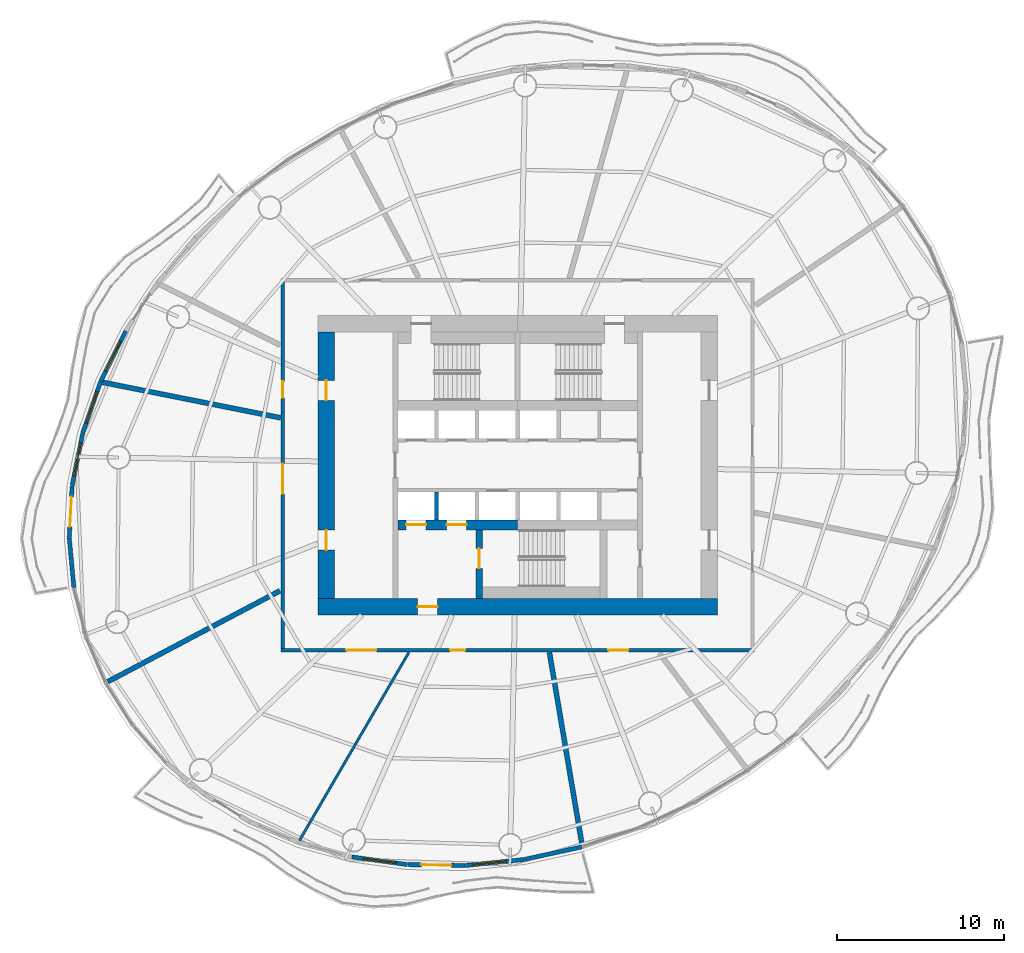
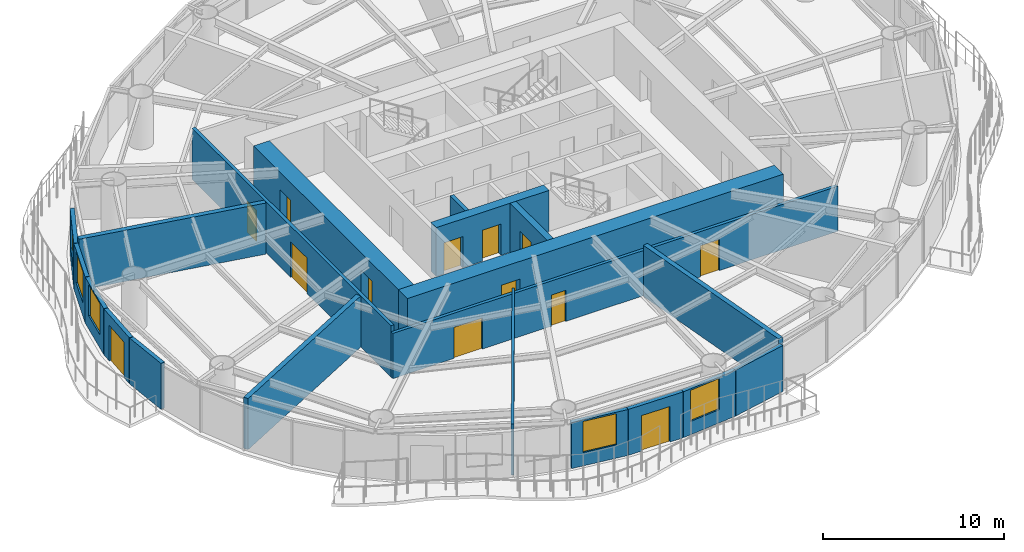
# One storey, part 8 of 16: 20 walls, 13 doors, 5 windows, 18 openings.
"""IFC4 building model written with IfcOpenShell, lengths in metres."""

from ifc_helpers import new_model, si_unit, direction, frame, frame_2d, origin, place, context, subcontext, project, spatial, rectangle, extrude, material, layer, layer_set, type_object, element, fill, save


model = new_model("IFC4")

# Units and contexts
model_context = context("Model", 3, precision=1e-05, world=origin(), true_north=direction((0.0, 1.0)))
body_context = subcontext(model_context, "Body", "Model", "MODEL_VIEW")
ifc_project = project(units=[si_unit("LENGTHUNIT", "METRE"), si_unit("AREAUNIT", "SQUARE_METRE"), si_unit("VOLUMEUNIT", "CUBIC_METRE"), si_unit("PLANEANGLEUNIT", "RADIAN"), si_unit("MASSUNIT", "GRAM", prefix="KILO")], contexts=[model_context])

# Site, building, storey
site_placement = place(None, origin())
site = spatial("IfcSite", under=ifc_project, at=site_placement, CompositionType="ELEMENT")
building_placement = place(site_placement, origin())
building = spatial("IfcBuilding", under=site, at=building_placement, Name="Vermilion Reach Broadcast Tower", CompositionType="ELEMENT")
storey_placement = place(building_placement, frame((0.0, 0.0, 147.0)))
storey = spatial("IfcBuildingStorey", under=building, at=storey_placement, Name="L34", CompositionType="ELEMENT", Elevation=147.0)

# Wall, opening, door
ifc_material_1 = material(Name="Concrete C70", Category="concrete")
ifc_layer_1 = layer(ifc_material_1, 0.39990234375)
ifc_layer_set_1 = layer_set([ifc_layer_1], Name="Core inner wall 400 mm Concrete C70")
wall_type_1 = type_object("IfcWallType", Name="Core inner wall 400 mm Concrete C70", PredefinedType="SHEAR", material=ifc_layer_set_1)
wall_1_placement = place(storey_placement, frame((-8.300048828125, -3.8798828125, 0.0), z_axis=(0.0, 0.0, 1.0), x_axis=(0.0, -1.0, 0.0)))
wall_1 = element("IfcWall", 1, at=wall_1_placement, inside=storey, type_object=wall_type_1, Name="L34 core wall wa", PredefinedType="SHEAR", context=body_context, shape_type="SweptSolid", body=[
    extrude(rectangle(XDim=4.1201171875, YDim=0.39990234375, at=frame_2d((2.06005859375, 0.0))), origin(), (0.0, 0.0, 1.0), 3.300048828125),
])
opening_1_placement = place(wall_1_placement, frame((1.110107421875, 0.0, 0.0)))
opening_1 = element("IfcOpeningElement", 2, at=opening_1_placement, cuts=wall_1, Name="Opening D01", PredefinedType="OPENING", context=body_context, shape_type="SweptSolid", body=[
    extrude(rectangle(XDim=1.199951171875, YDim=2.10009765625, at=frame_2d((0.60009765625, 1.050048828125))), frame((0.0, 0.2099609375, 0.0), z_axis=(0.0, -1.0, 0.0), x_axis=(1.0, 0.0, 0.0)), (0.0, 0.0, 1.0), 0.419921875),
])
ifc_material_2 = material(Name="Painted steel fire door", Category="steel")
door_type_1 = type_object("IfcDoorType", Name="Stair door 1200 x 2100", OperationType="DOUBLE_DOOR_SINGLE_SWING", PredefinedType="NOTDEFINED", material=ifc_material_2)
door_1_placement = place(opening_1_placement, origin())
door_1 = element("IfcDoor", 3, at=door_1_placement, inside=storey, type_object=door_type_1, Name="L34 stair door ST3", OperationType="DOUBLE_DOOR_SINGLE_SWING", OverallHeight=2.10009765625, OverallWidth=1.199951171875, PredefinedType="NOTDEFINED", context=body_context, shape_type="SweptSolid", body=[
    extrude(rectangle(XDim=1.199951171875, YDim=2.10009765625, at=frame_2d((0.60009765625, 1.050048828125))), frame((0.0, 0.02490234375, 0.0), z_axis=(0.0, -1.0, 0.0), x_axis=(1.0, 0.0, 0.0)), (0.0, 0.0, 1.0), 0.050048828125),
])
fill(opening_1, door_1)

# Wall, openings, doors
ifc_material_3 = material(Name="Concrete C70", Category="concrete")
ifc_layer_2 = layer(ifc_material_3, 0.60009765625)
ifc_layer_set_2 = layer_set([ifc_layer_2], Name="Core inner wall 600 mm Concrete C70")
wall_type_2 = type_object("IfcWallType", Name="Core inner wall 600 mm Concrete C70", PredefinedType="SHEAR", material=ifc_layer_set_2)
wall_2_placement = place(storey_placement, frame((-13.199951171875, -3.580078125, 0.0), z_axis=(0.0, 0.0, 1.0), x_axis=(1.0, 0.0, 0.0)))
wall_2 = element("IfcWall", 4, at=wall_2_placement, inside=storey, type_object=wall_type_2, Name="L34 core wall wisW", PredefinedType="SHEAR", context=body_context, shape_type="SweptSolid", body=[
    extrude(rectangle(XDim=7.199951171875, YDim=0.60009765625, at=frame_2d((3.60009765625, 0.0))), origin(), (0.0, 0.0, 1.0), 3.300048828125),
])
opening_2_placement = place(wall_2_placement, frame((0.495849609375, 0.0, 0.0)))
opening_2 = element("IfcOpeningElement", 5, at=opening_2_placement, cuts=wall_2, Name="Opening LD1", PredefinedType="OPENING", context=body_context, shape_type="SweptSolid", body=[
    extrude(rectangle(XDim=1.199951171875, YDim=2.10009765625, at=frame_2d((0.60009765625, 1.050048828125))), frame((0.0, 0.31005859375, 0.0), z_axis=(0.0, -1.0, 0.0), x_axis=(1.0, 0.0, 0.0)), (0.0, 0.0, 1.0), 0.6201171875),
])
opening_3_placement = place(wall_2_placement, frame((2.9375, 0.0, 0.0)))
opening_3 = element("IfcOpeningElement", 6, at=opening_3_placement, cuts=wall_2, Name="Opening LD1", PredefinedType="OPENING", context=body_context, shape_type="SweptSolid", body=[
    extrude(rectangle(XDim=1.199951171875, YDim=2.10009765625, at=frame_2d((0.60009765625, 1.050048828125))), frame((0.0, 0.31005859375, 0.0), z_axis=(0.0, -1.0, 0.0), x_axis=(1.0, 0.0, 0.0)), (0.0, 0.0, 1.0), 0.6201171875),
])
ifc_material_4 = material(Name="Stainless steel", Category="steel")
door_type_2 = type_object("IfcDoorType", Name="Landing door 1200 x 2100", OperationType="DOUBLE_DOOR_SLIDING", PredefinedType="NOTDEFINED", material=ifc_material_4)
door_2_placement = place(opening_2_placement, origin())
door_2 = element("IfcDoor", 7, at=door_2_placement, inside=storey, type_object=door_type_2, Name="L34 landing door FF1", OperationType="DOUBLE_DOOR_SLIDING", OverallHeight=2.10009765625, OverallWidth=1.199951171875, PredefinedType="NOTDEFINED", context=body_context, shape_type="SweptSolid", body=[
    extrude(rectangle(XDim=1.199951171875, YDim=2.10009765625, at=frame_2d((0.60009765625, 1.050048828125))), frame((0.0, 0.02490234375, 0.0), z_axis=(0.0, -1.0, 0.0), x_axis=(1.0, 0.0, 0.0)), (0.0, 0.0, 1.0), 0.050048828125),
])
fill(opening_2, door_2)
door_3_placement = place(opening_3_placement, origin())
door_3 = element("IfcDoor", 8, at=door_3_placement, inside=storey, type_object=door_type_2, Name="L34 landing door FF2", OperationType="DOUBLE_DOOR_SLIDING", OverallHeight=2.10009765625, OverallWidth=1.199951171875, PredefinedType="NOTDEFINED", context=body_context, shape_type="SweptSolid", body=[
    extrude(rectangle(XDim=1.199951171875, YDim=2.10009765625, at=frame_2d((0.60009765625, 1.050048828125))), frame((0.0, 0.02490234375, 0.0), z_axis=(0.0, -1.0, 0.0), x_axis=(1.0, 0.0, 0.0)), (0.0, 0.0, 1.0), 0.050048828125),
])
fill(opening_3, door_3)

# Wall, opening, door
ifc_material_5 = material(Name="Concrete C70", Category="concrete")
ifc_layer_3 = layer(ifc_material_5, 1.0)
ifc_layer_set_3 = layer_set([ifc_layer_3], Name="Core outer wall 1000 mm Concrete C70")
wall_type_3 = type_object("IfcWallType", Name="Core outer wall 1000 mm Concrete C70", PredefinedType="SHEAR", material=ifc_layer_set_3)
wall_3_placement = place(storey_placement, frame((-18.0, -8.5, 0.0), z_axis=(0.0, 0.0, 1.0), x_axis=(1.0, 0.0, 0.0)))
wall_3 = element("IfcWall", 9, at=wall_3_placement, inside=storey, type_object=wall_type_3, Name="L34 core wall os", PredefinedType="SHEAR", context=body_context, shape_type="SweptSolid", body=[
    extrude(rectangle(XDim=24.0, YDim=1.0, at=frame_2d((12.0, 0.0))), origin(), (0.0, 0.0, 1.0), 3.300048828125),
])
opening_4_placement = place(wall_3_placement, frame((6.0, 0.0, 0.0)))
opening_4 = element("IfcOpeningElement", 10, at=opening_4_placement, cuts=wall_3, Name="Opening D02", PredefinedType="OPENING", context=body_context, shape_type="SweptSolid", body=[
    extrude(rectangle(XDim=1.199951171875, YDim=2.10009765625, at=frame_2d((0.60009765625, 1.050048828125))), frame((0.0, 0.510009765625, 0.0), z_axis=(0.0, -1.0, 0.0), x_axis=(1.0, 0.0, 0.0)), (0.0, 0.0, 1.0), 1.02001953125),
])
ifc_material_6 = material(Name="Painted steel fire door", Category="steel")
door_type_3 = type_object("IfcDoorType", Name="Firefighting lobby door 1200 x 2100", OperationType="DOUBLE_DOOR_SINGLE_SWING", PredefinedType="NOTDEFINED", material=ifc_material_6)
door_4_placement = place(opening_4_placement, origin())
door_4 = element("IfcDoor", 11, at=door_4_placement, inside=storey, type_object=door_type_3, Name="L34 ffdoor door FFL", OperationType="DOUBLE_DOOR_SINGLE_SWING", OverallHeight=2.10009765625, OverallWidth=1.199951171875, PredefinedType="NOTDEFINED", context=body_context, shape_type="SweptSolid", body=[
    extrude(rectangle(XDim=1.199951171875, YDim=2.10009765625, at=frame_2d((0.60009765625, 1.050048828125))), frame((0.0, 0.02490234375, 0.0), z_axis=(0.0, -1.0, 0.0), x_axis=(1.0, 0.0, 0.0)), (0.0, 0.0, 1.0), 0.050048828125),
])
fill(opening_4, door_4)

# Wall, openings, doors
wall_4_placement = place(storey_placement, frame((-17.5, 8.0, 0.0), z_axis=(0.0, 0.0, 1.0), x_axis=(0.0, -1.0, 0.0)))
wall_4 = element("IfcWall", 12, at=wall_4_placement, inside=storey, type_object=wall_type_3, Name="L34 core wall ow", PredefinedType="SHEAR", context=body_context, shape_type="SweptSolid", body=[
    extrude(rectangle(XDim=16.0, YDim=1.0, at=frame_2d((8.0, 0.0))), origin(), (0.0, 0.0, 1.0), 3.300048828125),
])
opening_5_placement = place(wall_4_placement, frame((11.89990234375, 0.0, 0.0)))
opening_5 = element("IfcOpeningElement", 13, at=opening_5_placement, cuts=wall_4, Name="Opening D03", PredefinedType="OPENING", context=body_context, shape_type="SweptSolid", body=[
    extrude(rectangle(XDim=1.199951171875, YDim=2.10009765625, at=frame_2d((0.60009765625, 1.050048828125))), frame((0.0, 0.510009765625, 0.0), z_axis=(0.0, -1.0, 0.0), x_axis=(1.0, 0.0, 0.0)), (0.0, 0.0, 1.0), 1.02001953125),
])
opening_6_placement = place(wall_4_placement, frame((2.89990234375, 0.0, 0.0)))
opening_6 = element("IfcOpeningElement", 14, at=opening_6_placement, cuts=wall_4, Name="Opening D03", PredefinedType="OPENING", context=body_context, shape_type="SweptSolid", body=[
    extrude(rectangle(XDim=1.199951171875, YDim=2.10009765625, at=frame_2d((0.60009765625, 1.050048828125))), frame((0.0, 0.510009765625, 0.0), z_axis=(0.0, -1.0, 0.0), x_axis=(1.0, 0.0, 0.0)), (0.0, 0.0, 1.0), 1.02001953125),
])
ifc_material_7 = material(Name="Painted steel fire door", Category="steel")
door_type_4 = type_object("IfcDoorType", Name="Core lobby door 1200 x 2100", OperationType="DOUBLE_DOOR_SINGLE_SWING", PredefinedType="NOTDEFINED", material=ifc_material_7)
door_5_placement = place(opening_5_placement, origin())
door_5 = element("IfcDoor", 15, at=door_5_placement, inside=storey, type_object=door_type_4, Name="L34 slot door W0", OperationType="DOUBLE_DOOR_SINGLE_SWING", OverallHeight=2.10009765625, OverallWidth=1.199951171875, PredefinedType="NOTDEFINED", context=body_context, shape_type="SweptSolid", body=[
    extrude(rectangle(XDim=1.199951171875, YDim=2.10009765625, at=frame_2d((0.60009765625, 1.050048828125))), frame((0.0, 0.02490234375, 0.0), z_axis=(0.0, -1.0, 0.0), x_axis=(1.0, 0.0, 0.0)), (0.0, 0.0, 1.0), 0.050048828125),
])
fill(opening_5, door_5)
door_6_placement = place(opening_6_placement, origin())
door_6 = element("IfcDoor", 16, at=door_6_placement, inside=storey, type_object=door_type_4, Name="L34 slot door W1", OperationType="DOUBLE_DOOR_SINGLE_SWING", OverallHeight=2.10009765625, OverallWidth=1.199951171875, PredefinedType="NOTDEFINED", context=body_context, shape_type="SweptSolid", body=[
    extrude(rectangle(XDim=1.199951171875, YDim=2.10009765625, at=frame_2d((0.60009765625, 1.050048828125))), frame((0.0, 0.02490234375, 0.0), z_axis=(0.0, -1.0, 0.0), x_axis=(1.0, 0.0, 0.0)), (0.0, 0.0, 1.0), 0.050048828125),
])
fill(opening_6, door_6)

# Wall
ifc_material_8 = material(Name="Concrete C50", Category="concrete")
ifc_layer_4 = layer(ifc_material_8, 0.25)
ifc_layer_set_4 = layer_set([ifc_layer_4], Name="Core shaft wall 250 mm Concrete C50")
wall_type_4 = type_object("IfcWallType", Name="Core shaft wall 250 mm Concrete C50", PredefinedType="SHEAR", material=ifc_layer_set_4)
wall_5_placement = place(storey_placement, frame((-10.88330078125, -1.60009765625, 0.0), z_axis=(0.0, 0.0, 1.0), x_axis=(0.0, -1.0, 0.0)))
element("IfcWall", 17, at=wall_5_placement, inside=storey, type_object=wall_type_4, Name="L34 core wall psS0", PredefinedType="SHEAR", context=body_context, shape_type="SweptSolid", body=[
    extrude(rectangle(XDim=1.679931640625, YDim=0.25, at=frame_2d((0.83984375, 0.0))), origin(), (0.0, 0.0, 1.0), 3.300048828125),
])

# Wall, openings, doors
ifc_material_9 = material(Name="Fire-rated gypsum board partition")
ifc_layer_5 = layer(ifc_material_9, 0.199951171875)
ifc_layer_set_5 = layer_set([ifc_layer_5], Name="Corridor wall 200 fire-rated")
wall_type_5 = type_object("IfcWallType", Name="Corridor wall 200 fire-rated", PredefinedType="PARTITIONING", material=ifc_layer_set_5)
wall_6_placement = place(storey_placement, frame((-20.10009765625, -11.0, 0.0), z_axis=(0.0, 0.0, 1.0), x_axis=(0.0, 1.0, 0.0)))
wall_6 = element("IfcWall", 18, at=wall_6_placement, inside=storey, type_object=wall_type_5, Name="Corridor wall 34.W", PredefinedType="PARTITIONING", context=body_context, shape_type="SweptSolid", body=[
    extrude(rectangle(XDim=22.0, YDim=0.199951171875, at=frame_2d((11.0, 0.0))), origin(), (0.0, 0.0, 1.0), 3.449951171875),
])
opening_7_placement = place(wall_6_placement, frame((15.040771484375, 0.0, 0.0)))
opening_7 = element("IfcOpeningElement", 19, at=opening_7_placement, cuts=wall_6, Name="Opening D20", PredefinedType="OPENING", context=body_context, shape_type="SweptSolid", body=[
    extrude(rectangle(XDim=1.0, YDim=2.10009765625, at=frame_2d((0.5, 1.050048828125))), frame((0.0, 0.10986328125, 0.0), z_axis=(0.0, -1.0, 0.0), x_axis=(1.0, 0.0, 0.0)), (0.0, 0.0, 1.0), 0.219970703125),
])
opening_8_placement = place(wall_6_placement, frame((9.277099609375, 0.0, 0.0)))
opening_8 = element("IfcOpeningElement", 20, at=opening_8_placement, cuts=wall_6, Name="Opening D27", PredefinedType="OPENING", context=body_context, shape_type="SweptSolid", body=[
    extrude(rectangle(XDim=1.800048828125, YDim=2.39990234375, at=frame_2d((0.89990234375, 1.199951171875))), frame((0.0, 0.10986328125, 0.0), z_axis=(0.0, -1.0, 0.0), x_axis=(1.0, 0.0, 0.0)), (0.0, 0.0, 1.0), 0.219970703125),
])
ifc_material_10 = material(Name="Acoustic timber door leaf", Category="wood")
door_type_5 = type_object("IfcDoorType", Name="Door pair 1800x2400", OperationType="NOTDEFINED", PredefinedType="DOOR", material=ifc_material_10)
door_7_placement = place(opening_8_placement, origin())
door_7 = element("IfcDoor", 21, at=door_7_placement, inside=storey, type_object=door_type_5, Name="Door 34.05", OperationType="DOUBLE_DOOR_SINGLE_SWING", OverallHeight=2.39990234375, OverallWidth=1.800048828125, PredefinedType="DOOR", context=body_context, shape_type="SweptSolid", body=[
    extrude(rectangle(XDim=1.800048828125, YDim=2.39990234375, at=frame_2d((0.89990234375, 1.199951171875))), frame((0.0, 0.02490234375, 0.0), z_axis=(0.0, -1.0, 0.0), x_axis=(1.0, 0.0, 0.0)), (0.0, 0.0, 1.0), 0.050048828125),
])
fill(opening_8, door_7)
ifc_material_11 = material(Name="Timber door leaf", Category="wood")
door_type_6 = type_object("IfcDoorType", Name="Door single 1000x2100", OperationType="NOTDEFINED", PredefinedType="DOOR", material=ifc_material_11)
door_8_placement = place(opening_7_placement, origin())
door_8 = element("IfcDoor", 22, at=door_8_placement, inside=storey, type_object=door_type_6, Name="Door 34.04", OperationType="SINGLE_SWING_LEFT", OverallHeight=2.10009765625, OverallWidth=1.0, PredefinedType="DOOR", context=body_context, shape_type="SweptSolid", body=[
    extrude(rectangle(XDim=1.0, YDim=2.10009765625, at=frame_2d((0.5, 1.050048828125))), frame((0.0, 0.02490234375, 0.0), z_axis=(0.0, -1.0, 0.0), x_axis=(1.0, 0.0, 0.0)), (0.0, 0.0, 1.0), 0.050048828125),
])
fill(opening_7, door_8)

# Walls
ifc_material_12 = material(Name="Lightweight concrete block, plastered", Category="concrete")
ifc_layer_6 = layer(ifc_material_12, 0.14990234375)
ifc_layer_set_6 = layer_set([ifc_layer_6], Name="Partition 150 lightweight block")
wall_type_6 = type_object("IfcWallType", Name="Partition 150 lightweight block", PredefinedType="PARTITIONING", material=ifc_layer_set_6)
wall_7_placement = place(storey_placement, frame((-19.10302734375, -22.5341796875, 0.0), z_axis=(0.0, 0.0, 1.0), x_axis=(0.502674036835, 0.864476033613, 0.0)))
element("IfcWall", 23, at=wall_7_placement, inside=storey, type_object=wall_type_6, Name="Partition 34.07", PredefinedType="PARTITIONING", context=body_context, shape_type="SweptSolid", body=[
    extrude(rectangle(XDim=13.0673828125, YDim=0.14990234375, at=frame_2d((6.53369140625, 0.0))), origin(), (0.0, 0.0, 1.0), 3.449951171875),
])
ifc_material_13 = material(Name="Double-leaf plasterboard on isolated steel stud", Category="steel")
ifc_layer_7 = layer(ifc_material_13, 0.300048828125)
ifc_layer_set_7 = layer_set([ifc_layer_7], Name="Partition 300 acoustic double leaf")
wall_type_7 = type_object("IfcWallType", Name="Partition 300 acoustic double leaf", PredefinedType="PARTITIONING", material=ifc_layer_set_7)
wall_8_placement = place(storey_placement, frame((-30.92529296875, 4.982666015625, 0.0), z_axis=(0.0, 0.0, 1.0), x_axis=(0.980597889581, -0.196030046039, 0.0)))
element("IfcWall", 24, at=wall_8_placement, inside=storey, type_object=wall_type_7, Name="Partition 34.05", PredefinedType="PARTITIONING", context=body_context, shape_type="SweptSolid", body=[
    extrude(rectangle(XDim=10.907470703125, YDim=0.300048828125, at=frame_2d((5.45361328125, 0.0))), origin(), (0.0, 0.0, 1.0), 3.449951171875),
])
wall_9_placement = place(storey_placement, frame((-30.61328125, -12.9990234375, 0.0), z_axis=(0.0, 0.0, 1.0), x_axis=(0.884254045952, 0.46700619077, 0.0)))
element("IfcWall", 25, at=wall_9_placement, inside=storey, type_object=wall_type_7, Name="Partition 34.06", PredefinedType="PARTITIONING", context=body_context, shape_type="SweptSolid", body=[
    extrude(rectangle(XDim=11.697265625, YDim=0.300048828125, at=frame_2d((5.8486328125, 0.0))), origin(), (0.0, 0.0, 1.0), 3.449951171875),
])
wall_10_placement = place(storey_placement, frame((-2.134765625, -22.78564453125, 0.0), z_axis=(0.0, 0.0, 1.0), x_axis=(-0.167234468918, 0.985917152912, 0.0)))
element("IfcWall", 26, at=wall_10_placement, inside=storey, type_object=wall_type_7, Name="Partition 34.08", PredefinedType="PARTITIONING", context=body_context, shape_type="SweptSolid", body=[
    extrude(rectangle(XDim=11.7255859375, YDim=0.300048828125, at=frame_2d((5.86279296875, 0.0))), origin(), (0.0, 0.0, 1.0), 3.449951171875),
])

# Wall, opening, window
ifc_material_14 = material(Name="Terracotta rainscreen cladding", Category="masonry")
ifc_layer_8 = layer(ifc_material_14, 0.25)
ifc_layer_set_8 = layer_set([ifc_layer_8], Name="Terracotta rainscreen wall 250")
wall_type_8 = type_object("IfcWallType", Name="Terracotta rainscreen wall 250", PredefinedType="SOLIDWALL", material=ifc_layer_set_8)
wall_11_placement = place(storey_placement, frame((-29.53759765625, 8.051025390625, 0.0), z_axis=(0.0, 0.0, 1.0), x_axis=(-0.445527727944, -0.895268140633, 0.0)))
wall_11 = element("IfcWall", 27, at=wall_11_placement, inside=storey, type_object=wall_type_8, Name="External wall L34 17", PredefinedType="SOLIDWALL", context=body_context, shape_type="SweptSolid", body=[
    extrude(rectangle(XDim=3.361328125, YDim=0.25, at=frame_2d((1.6806640625, 0.0))), origin(), (0.0, 0.0, 1.0), 3.10009765625),
])
opening_9_placement = place(wall_11_placement, frame((0.6806640625, 0.0, 0.89990234375)))
opening_9 = element("IfcOpeningElement", 28, at=opening_9_placement, cuts=wall_11, Name="Opening W03", PredefinedType="OPENING", context=body_context, shape_type="SweptSolid", body=[
    extrude(rectangle(XDim=2.0, YDim=2.10009765625, at=frame_2d((1.0, 1.050048828125))), frame((0.0, 0.135009765625, 0.0), z_axis=(0.0, -1.0, 0.0), x_axis=(1.0, 0.0, 0.0)), (0.0, 0.0, 1.0), 0.27001953125),
])
ifc_material_15 = material(Name="Low-e laminated clear glass in aluminium frame", Category="aluminium")
window_type = type_object("IfcWindowType", Name="Punched window 2000 x 2100 sill 900", PartitioningType="SINGLE_PANEL", PredefinedType="WINDOW", material=ifc_material_15)
window_1_placement = place(opening_9_placement, origin())
window_1 = element("IfcWindow", 29, at=window_1_placement, inside=storey, type_object=window_type, Name="Window L34 17", OverallHeight=2.10009765625, OverallWidth=2.0, PartitioningType="SINGLE_PANEL", PredefinedType="WINDOW", context=body_context, shape_type="SweptSolid", body=[
    extrude(rectangle(XDim=2.0, YDim=2.10009765625, at=frame_2d((1.0, 1.050048828125))), frame((0.0, 0.030029296875, 0.0), z_axis=(0.0, -1.0, 0.0), x_axis=(1.0, 0.0, 0.0)), (0.0, 0.0, 1.0), 0.06005859375),
])
fill(opening_9, window_1)

wall_12_placement = place(storey_placement, frame((-31.04443359375, 5.019775390625, 0.0), z_axis=(0.0, 0.0, 1.0), x_axis=(-0.327287400889, -0.944924842101, 0.0)))
wall_12 = element("IfcWall", 30, at=wall_12_placement, inside=storey, type_object=wall_type_8, Name="External wall L34 18", PredefinedType="SOLIDWALL", context=body_context, shape_type="SweptSolid", body=[
    extrude(rectangle(XDim=3.271728515625, YDim=0.25, at=frame_2d((1.6357421875, 0.0))), origin(), (0.0, 0.0, 1.0), 3.10009765625),
])
opening_10_placement = place(wall_12_placement, frame((0.635986328125, 0.0, 0.89990234375)))
opening_10 = element("IfcOpeningElement", 31, at=opening_10_placement, cuts=wall_12, Name="Opening W03", PredefinedType="OPENING", context=body_context, shape_type="SweptSolid", body=[
    extrude(rectangle(XDim=2.0, YDim=2.10009765625, at=frame_2d((1.0, 1.050048828125))), frame((0.0, 0.135009765625, 0.0), z_axis=(0.0, -1.0, 0.0), x_axis=(1.0, 0.0, 0.0)), (0.0, 0.0, 1.0), 0.27001953125),
])
window_2_placement = place(opening_10_placement, origin())
window_2 = element("IfcWindow", 32, at=window_2_placement, inside=storey, type_object=window_type, Name="Window L34 18", OverallHeight=2.10009765625, OverallWidth=2.0, PartitioningType="SINGLE_PANEL", PredefinedType="WINDOW", context=body_context, shape_type="SweptSolid", body=[
    extrude(rectangle(XDim=2.0, YDim=2.10009765625, at=frame_2d((1.0, 1.050048828125))), frame((0.0, 0.030029296875, 0.0), z_axis=(0.0, -1.0, 0.0), x_axis=(1.0, 0.0, 0.0)), (0.0, 0.0, 1.0), 0.06005859375),
])
fill(opening_10, window_2)

wall_13_placement = place(storey_placement, frame((-32.121826171875, 1.904052734375, 0.0), z_axis=(0.0, 0.0, 1.0), x_axis=(-0.196824126918, -0.980438811483, 0.0)))
wall_13 = element("IfcWall", 33, at=wall_13_placement, inside=storey, type_object=wall_type_8, Name="External wall L34 19", PredefinedType="SOLIDWALL", context=body_context, shape_type="SweptSolid", body=[
    extrude(rectangle(XDim=3.182861328125, YDim=0.25, at=frame_2d((1.59130859375, 0.0))), origin(), (0.0, 0.0, 1.0), 3.10009765625),
])
opening_11_placement = place(wall_13_placement, frame((0.59130859375, 0.0, 0.89990234375)))
opening_11 = element("IfcOpeningElement", 34, at=opening_11_placement, cuts=wall_13, Name="Opening W03", PredefinedType="OPENING", context=body_context, shape_type="SweptSolid", body=[
    extrude(rectangle(XDim=2.0, YDim=2.10009765625, at=frame_2d((1.0, 1.050048828125))), frame((0.0, 0.135009765625, 0.0), z_axis=(0.0, -1.0, 0.0), x_axis=(1.0, 0.0, 0.0)), (0.0, 0.0, 1.0), 0.27001953125),
])
window_3_placement = place(opening_11_placement, origin())
window_3 = element("IfcWindow", 35, at=window_3_placement, inside=storey, type_object=window_type, Name="Window L34 19", OverallHeight=2.10009765625, OverallWidth=2.0, PartitioningType="SINGLE_PANEL", PredefinedType="WINDOW", context=body_context, shape_type="SweptSolid", body=[
    extrude(rectangle(XDim=2.0, YDim=2.10009765625, at=frame_2d((1.0, 1.050048828125))), frame((0.0, 0.030029296875, 0.0), z_axis=(0.0, -1.0, 0.0), x_axis=(1.0, 0.0, 0.0)), (0.0, 0.0, 1.0), 0.06005859375),
])
fill(opening_11, window_3)

# Wall, opening, door
wall_14_placement = place(storey_placement, frame((-32.751708984375, -1.241943359375, 0.0), z_axis=(0.0, 0.0, 1.0), x_axis=(-0.055823234229, -0.998440667501, 0.0)))
wall_14 = element("IfcWall", 36, at=wall_14_placement, inside=storey, type_object=wall_type_8, Name="External wall L34 20", PredefinedType="SOLIDWALL", context=body_context, shape_type="SweptSolid", body=[
    extrude(rectangle(XDim=3.100830078125, YDim=0.25, at=frame_2d((1.55029296875, 0.0))), origin(), (0.0, 0.0, 1.0), 3.10009765625),
])
opening_12_placement = place(wall_14_placement, frame((0.64990234375, 0.0, 0.0)))
opening_12 = element("IfcOpeningElement", 37, at=opening_12_placement, cuts=wall_14, Name="Opening D70", PredefinedType="OPENING", context=body_context, shape_type="SweptSolid", body=[
    extrude(rectangle(XDim=1.800048828125, YDim=2.39990234375, at=frame_2d((0.89990234375, 1.199951171875))), frame((0.0, 0.135009765625, 0.0), z_axis=(0.0, -1.0, 0.0), x_axis=(1.0, 0.0, 0.0)), (0.0, 0.0, 1.0), 0.27001953125),
])
ifc_material_16 = material(Name="Low-e laminated clear glass in aluminium frame", Category="aluminium")
door_type_7 = type_object("IfcDoorType", Name="Balcony sliding door 1800 x 2400", OperationType="DOUBLE_DOOR_SLIDING", PredefinedType="DOOR", material=ifc_material_16)
door_9_placement = place(opening_12_placement, origin())
door_9 = element("IfcDoor", 38, at=door_9_placement, inside=storey, type_object=door_type_7, Name="Balcony door L34 run 05", OperationType="DOUBLE_DOOR_SLIDING", OverallHeight=2.39990234375, OverallWidth=1.800048828125, PredefinedType="DOOR", context=body_context, shape_type="SweptSolid", body=[
    extrude(rectangle(XDim=1.800048828125, YDim=2.39990234375, at=frame_2d((0.89990234375, 1.199951171875))), frame((0.0, 0.02490234375, 0.0), z_axis=(0.0, -1.0, 0.0), x_axis=(1.0, 0.0, 0.0)), (0.0, 0.0, 1.0), 0.050048828125),
])
fill(opening_12, door_9)

# Wall
wall_15_placement = place(storey_placement, frame((-32.92431640625, -4.364501953125, 0.0), z_axis=(0.0, 0.0, 1.0), x_axis=(0.093052449372, -0.995661208276, 0.0)))
element("IfcWall", 39, at=wall_15_placement, inside=storey, type_object=wall_type_8, Name="External wall L34 21", PredefinedType="SOLIDWALL", context=body_context, shape_type="SweptSolid", body=[
    extrude(rectangle(XDim=2.990966796875, YDim=0.25, at=frame_2d((1.49560546875, 0.0))), origin(), (0.0, 0.0, 1.0), 3.10009765625),
])

# Wall, opening, window
wall_16_placement = place(storey_placement, frame((-15.951171875, -23.519287109375, 0.0), z_axis=(0.0, 0.0, 1.0), x_axis=(0.990602473809, -0.13677258089, 0.0)))
wall_16 = element("IfcWall", 40, at=wall_16_placement, inside=storey, type_object=wall_type_8, Name="External wall L34 30", PredefinedType="SOLIDWALL", context=body_context, shape_type="SweptSolid", body=[
    extrude(rectangle(XDim=3.361083984375, YDim=0.25, at=frame_2d((1.6806640625, 0.0))), origin(), (0.0, 0.0, 1.0), 3.10009765625),
])
opening_13_placement = place(wall_16_placement, frame((0.6806640625, 0.0, 0.89990234375)))
opening_13 = element("IfcOpeningElement", 41, at=opening_13_placement, cuts=wall_16, Name="Opening W03", PredefinedType="OPENING", context=body_context, shape_type="SweptSolid", body=[
    extrude(rectangle(XDim=2.0, YDim=2.10009765625, at=frame_2d((1.0, 1.050048828125))), frame((0.0, 0.135009765625, 0.0), z_axis=(0.0, -1.0, 0.0), x_axis=(1.0, 0.0, 0.0)), (0.0, 0.0, 1.0), 0.27001953125),
])
window_4_placement = place(opening_13_placement, origin())
window_4 = element("IfcWindow", 42, at=window_4_placement, inside=storey, type_object=window_type, Name="Window L34 30", OverallHeight=2.10009765625, OverallWidth=2.0, PartitioningType="SINGLE_PANEL", PredefinedType="WINDOW", context=body_context, shape_type="SweptSolid", body=[
    extrude(rectangle(XDim=2.0, YDim=2.10009765625, at=frame_2d((1.0, 1.050048828125))), frame((0.0, 0.030029296875, 0.0), z_axis=(0.0, -1.0, 0.0), x_axis=(1.0, 0.0, 0.0)), (0.0, 0.0, 1.0), 0.06005859375),
])
fill(opening_13, window_4)

# Wall, opening, door
wall_17_placement = place(storey_placement, frame((-12.598388671875, -23.980712890625, 0.0), z_axis=(0.0, 0.0, 1.0), x_axis=(0.999886095883, -0.015092887706, 0.0)))
wall_17 = element("IfcWall", 43, at=wall_17_placement, inside=storey, type_object=wall_type_8, Name="External wall L34 31", PredefinedType="SOLIDWALL", context=body_context, shape_type="SweptSolid", body=[
    extrude(rectangle(XDim=3.445556640625, YDim=0.25, at=frame_2d((1.72265625, 0.0))), origin(), (0.0, 0.0, 1.0), 3.10009765625),
])
opening_14_placement = place(wall_17_placement, frame((0.822998046875, 0.0, 0.0)))
opening_14 = element("IfcOpeningElement", 44, at=opening_14_placement, cuts=wall_17, Name="Opening D70", PredefinedType="OPENING", context=body_context, shape_type="SweptSolid", body=[
    extrude(rectangle(XDim=1.800048828125, YDim=2.39990234375, at=frame_2d((0.89990234375, 1.199951171875))), frame((0.0, 0.135009765625, 0.0), z_axis=(0.0, -1.0, 0.0), x_axis=(1.0, 0.0, 0.0)), (0.0, 0.0, 1.0), 0.27001953125),
])
door_10_placement = place(opening_14_placement, origin())
door_10 = element("IfcDoor", 45, at=door_10_placement, inside=storey, type_object=door_type_7, Name="Balcony door L34 run 08", OperationType="DOUBLE_DOOR_SLIDING", OverallHeight=2.39990234375, OverallWidth=1.800048828125, PredefinedType="DOOR", context=body_context, shape_type="SweptSolid", body=[
    extrude(rectangle(XDim=1.800048828125, YDim=2.39990234375, at=frame_2d((0.89990234375, 1.199951171875))), frame((0.0, 0.02490234375, 0.0), z_axis=(0.0, -1.0, 0.0), x_axis=(1.0, 0.0, 0.0)), (0.0, 0.0, 1.0), 0.050048828125),
])
fill(opening_14, door_10)

# Wall, opening, window
wall_18_placement = place(storey_placement, frame((-9.130615234375, -24.03173828125, 0.0), z_axis=(0.0, 0.0, 1.0), x_axis=(0.994814248005, 0.101708465554, 0.0)))
wall_18 = element("IfcWall", 46, at=wall_18_placement, inside=storey, type_object=wall_type_8, Name="External wall L34 32", PredefinedType="SOLIDWALL", context=body_context, shape_type="SweptSolid", body=[
    extrude(rectangle(XDim=3.51904296875, YDim=0.25, at=frame_2d((1.759521484375, 0.0))), origin(), (0.0, 0.0, 1.0), 3.10009765625),
])
opening_15_placement = place(wall_18_placement, frame((0.4599609375, 0.0, 0.89990234375)))
opening_15 = element("IfcOpeningElement", 47, at=opening_15_placement, cuts=wall_18, Name="Opening W03", PredefinedType="OPENING", context=body_context, shape_type="SweptSolid", body=[
    extrude(rectangle(XDim=2.0, YDim=2.10009765625, at=frame_2d((1.0, 1.050048828125))), frame((0.0, 0.135009765625, 0.0), z_axis=(0.0, -1.0, 0.0), x_axis=(1.0, 0.0, 0.0)), (0.0, 0.0, 1.0), 0.27001953125),
])
window_5_placement = place(opening_15_placement, origin())
window_5 = element("IfcWindow", 48, at=window_5_placement, inside=storey, type_object=window_type, Name="Window L34 32", OverallHeight=2.10009765625, OverallWidth=2.0, PartitioningType="SINGLE_PANEL", PredefinedType="WINDOW", context=body_context, shape_type="SweptSolid", body=[
    extrude(rectangle(XDim=2.0, YDim=2.10009765625, at=frame_2d((1.0, 1.050048828125))), frame((0.0, 0.030029296875, 0.0), z_axis=(0.0, -1.0, 0.0), x_axis=(1.0, 0.0, 0.0)), (0.0, 0.0, 1.0), 0.06005859375),
])
fill(opening_15, window_5)

# Wall
wall_19_placement = place(storey_placement, frame((-5.608154296875, -23.67041015625, 0.0), z_axis=(0.0, 0.0, 1.0), x_axis=(0.97705524613, 0.212986023038, 0.0)))
element("IfcWall", 49, at=wall_19_placement, inside=storey, type_object=wall_type_8, Name="External wall L34 33", PredefinedType="SOLIDWALL", context=body_context, shape_type="SweptSolid", body=[
    extrude(rectangle(XDim=3.533935546875, YDim=0.25, at=frame_2d((1.76708984375, 0.0))), origin(), (0.0, 0.0, 1.0), 3.10009765625),
])

# Wall, openings, doors
ifc_material_17 = material(Name="Fire-rated gypsum board partition")
ifc_layer_9 = layer(ifc_material_17, 0.199951171875)
ifc_layer_set_9 = layer_set([ifc_layer_9], Name="Under girder: Corridor wall 200 fire-rated")
wall_type_9 = type_object("IfcWallType", Name="Under girder: Corridor wall 200 fire-rated", PredefinedType="PARTITIONING", material=ifc_layer_set_9)
wall_20_placement = place(storey_placement, frame((8.199951171875, -11.10009765625, 0.0), z_axis=(0.0, 0.0, 1.0), x_axis=(-1.0, 0.0, 0.0)))
wall_20 = element("IfcWall", 50, at=wall_20_placement, inside=storey, type_object=wall_type_9, Name="Corridor wall 34.S", PredefinedType="PARTITIONING", context=body_context, shape_type="SweptSolid", body=[
    extrude(rectangle(XDim=28.39990234375, YDim=0.199951171875, at=frame_2d((14.199951171875, 0.0))), origin(), (0.0, 0.0, 1.0), 3.050048828125),
])
opening_16_placement = place(wall_20_placement, frame((22.6787109375, 0.0, 0.0)))
opening_16 = element("IfcOpeningElement", 51, at=opening_16_placement, cuts=wall_20, Name="Opening D21", PredefinedType="OPENING", context=body_context, shape_type="SweptSolid", body=[
    extrude(rectangle(XDim=1.800048828125, YDim=2.10009765625, at=frame_2d((0.89990234375, 1.050048828125))), frame((0.0, 0.10986328125, 0.0), z_axis=(0.0, -1.0, 0.0), x_axis=(1.0, 0.0, 0.0)), (0.0, 0.0, 1.0), 0.219970703125),
])
opening_17_placement = place(wall_20_placement, frame((17.358642578125, 0.0, 0.0)))
opening_17 = element("IfcOpeningElement", 52, at=opening_17_placement, cuts=wall_20, Name="Opening D22", PredefinedType="OPENING", context=body_context, shape_type="SweptSolid", body=[
    extrude(rectangle(XDim=0.89990234375, YDim=2.10009765625, at=frame_2d((0.449951171875, 1.050048828125))), frame((0.0, 0.10986328125, 0.0), z_axis=(0.0, -1.0, 0.0), x_axis=(1.0, 0.0, 0.0)), (0.0, 0.0, 1.0), 0.219970703125),
])
opening_18_placement = place(wall_20_placement, frame((7.557373046875, 0.0, 0.0)))
opening_18 = element("IfcOpeningElement", 53, at=opening_18_placement, cuts=wall_20, Name="Opening D26", PredefinedType="OPENING", context=body_context, shape_type="SweptSolid", body=[
    extrude(rectangle(XDim=1.199951171875, YDim=2.10009765625, at=frame_2d((0.60009765625, 1.050048828125))), frame((0.0, 0.10986328125, 0.0), z_axis=(0.0, -1.0, 0.0), x_axis=(1.0, 0.0, 0.0)), (0.0, 0.0, 1.0), 0.219970703125),
])
ifc_material_18 = material(Name="Timber door leaf", Category="wood")
door_type_8 = type_object("IfcDoorType", Name="Door pair 1800x2100", OperationType="NOTDEFINED", PredefinedType="DOOR", material=ifc_material_18)
door_11_placement = place(opening_16_placement, origin())
door_11 = element("IfcDoor", 54, at=door_11_placement, inside=storey, type_object=door_type_8, Name="Door 34.06", OperationType="DOUBLE_DOOR_SINGLE_SWING", OverallHeight=2.10009765625, OverallWidth=1.800048828125, PredefinedType="DOOR", context=body_context, shape_type="SweptSolid", body=[
    extrude(rectangle(XDim=1.800048828125, YDim=2.10009765625, at=frame_2d((0.89990234375, 1.050048828125))), frame((0.0, 0.02490234375, 0.0), z_axis=(0.0, -1.0, 0.0), x_axis=(1.0, 0.0, 0.0)), (0.0, 0.0, 1.0), 0.050048828125),
])
fill(opening_16, door_11)
ifc_material_19 = material(Name="Acoustic timber door leaf", Category="wood")
door_type_9 = type_object("IfcDoorType", Name="Door single 1200x2100", OperationType="NOTDEFINED", PredefinedType="DOOR", material=ifc_material_19)
door_12_placement = place(opening_18_placement, origin())
door_12 = element("IfcDoor", 55, at=door_12_placement, inside=storey, type_object=door_type_9, Name="Door 34.08", OperationType="SINGLE_SWING_LEFT", OverallHeight=2.10009765625, OverallWidth=1.199951171875, PredefinedType="DOOR", context=body_context, shape_type="SweptSolid", body=[
    extrude(rectangle(XDim=1.199951171875, YDim=2.10009765625, at=frame_2d((0.60009765625, 1.050048828125))), frame((0.0, 0.02490234375, 0.0), z_axis=(0.0, -1.0, 0.0), x_axis=(1.0, 0.0, 0.0)), (0.0, 0.0, 1.0), 0.050048828125),
])
fill(opening_18, door_12)
ifc_material_20 = material(Name="Timber door leaf", Category="wood")
door_type_10 = type_object("IfcDoorType", Name="Door single 900x2100", OperationType="NOTDEFINED", PredefinedType="DOOR", material=ifc_material_20)
door_13_placement = place(opening_17_placement, origin())
door_13 = element("IfcDoor", 56, at=door_13_placement, inside=storey, type_object=door_type_10, Name="Door 34.07", OperationType="SINGLE_SWING_RIGHT", OverallHeight=2.10009765625, OverallWidth=0.89990234375, PredefinedType="DOOR", context=body_context, shape_type="SweptSolid", body=[
    extrude(rectangle(XDim=0.89990234375, YDim=2.10009765625, at=frame_2d((0.449951171875, 1.050048828125))), frame((0.0, 0.02490234375, 0.0), z_axis=(0.0, -1.0, 0.0), x_axis=(1.0, 0.0, 0.0)), (0.0, 0.0, 1.0), 0.050048828125),
])
fill(opening_17, door_13)

save(model, "model.ifc")
